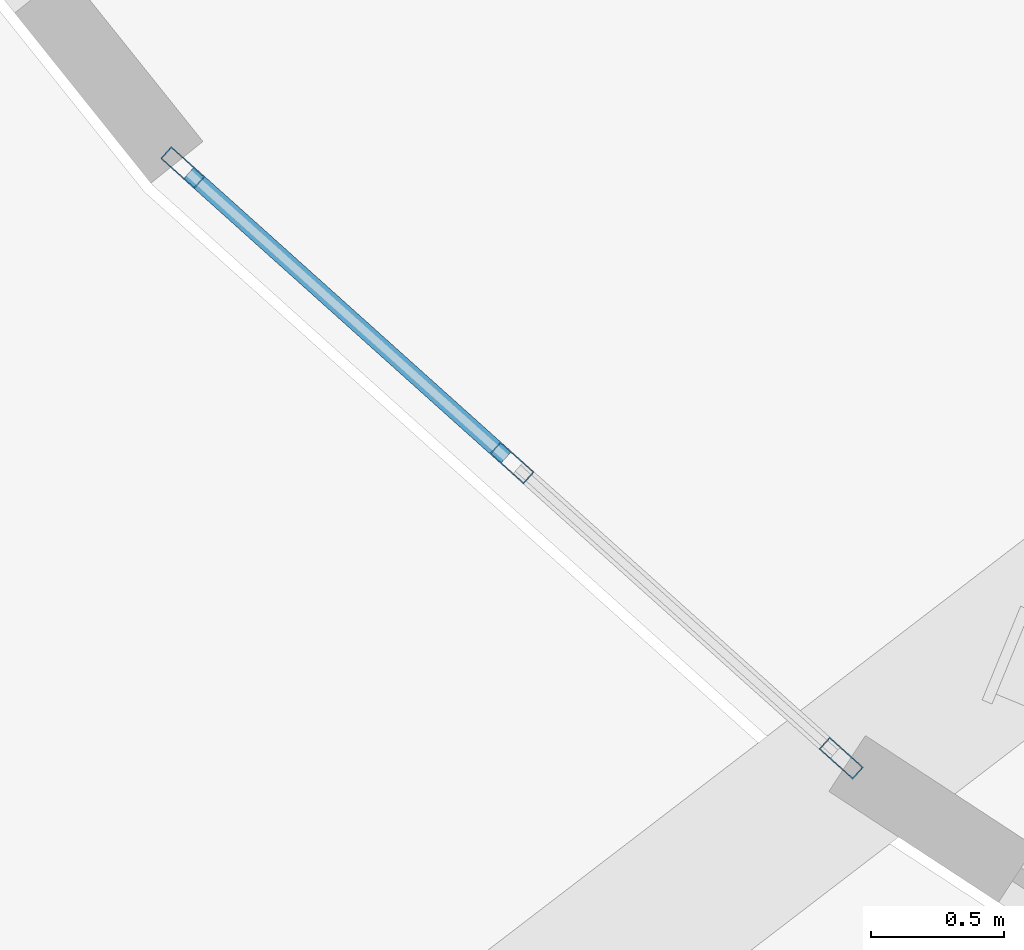
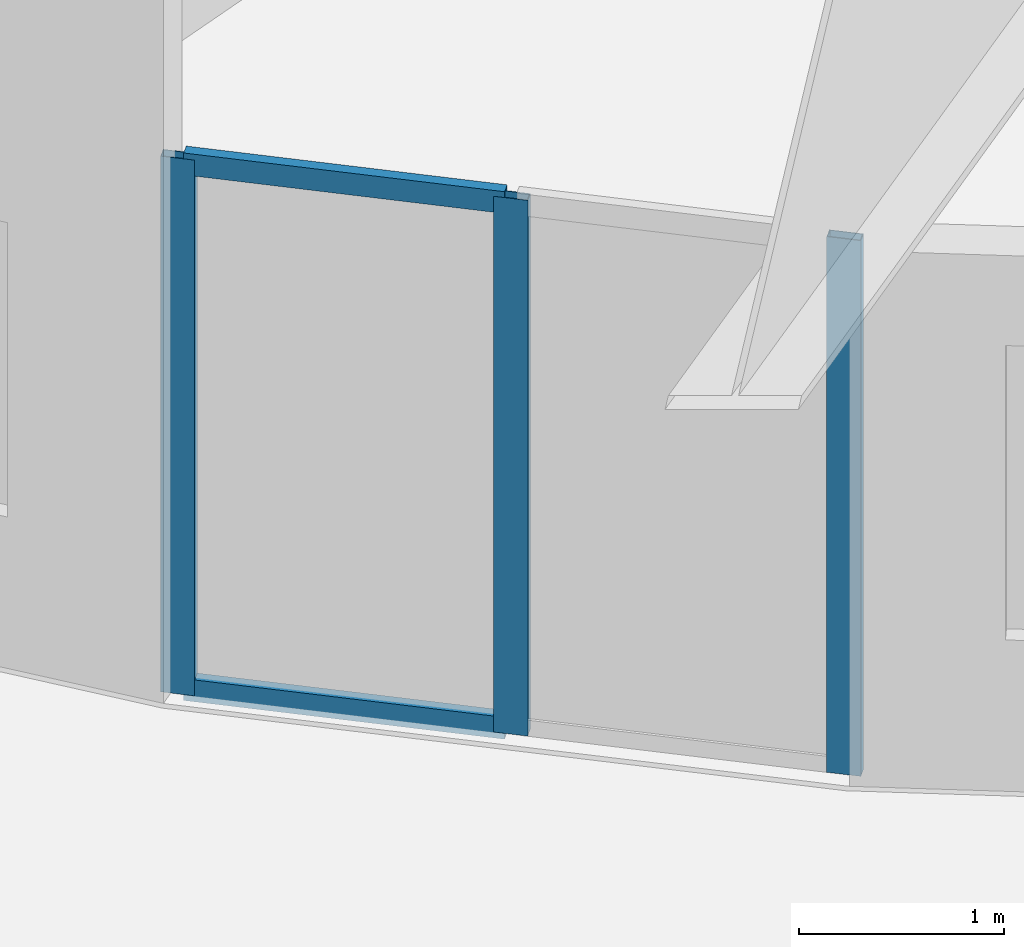
# One storey, part 4 of 39: 5 members, 1 element without a shape of its own.
"""IFC4 building model written with IfcOpenShell, lengths in metres."""

from ifc_helpers import new_model, si_unit, direction, frame, origin, origin_2d, place, context, subcontext, project, spatial, hollow_rectangle, extrude, source, transform, mapped, material, layer, layer_set, material_profile, profile_set, type_object, element, aggregate, save


model = new_model("IFC4")

# Units and contexts
model_context = context("Model", 3, precision=1e-05, world=origin(), true_north=direction((0.0, 1.0)))
body_context = subcontext(model_context, "Body", "Model", "MODEL_VIEW")
ifc_project = project(units=[si_unit("LENGTHUNIT", "METRE"), si_unit("AREAUNIT", "SQUARE_METRE"), si_unit("VOLUMEUNIT", "CUBIC_METRE"), si_unit("PLANEANGLEUNIT", "RADIAN"), si_unit("MASSUNIT", "GRAM", prefix="KILO")], contexts=[model_context])

# Site, building, storey
site_placement = place(None, origin())
site = spatial("IfcSite", under=ifc_project, at=site_placement, CompositionType="ELEMENT")
building_placement = place(site_placement, origin())
building = spatial("IfcBuilding", under=site, at=building_placement, Name="Linh Dai School and Residence Tower", CompositionType="ELEMENT")
storey_placement = place(building_placement, frame((0.0, 0.0, 27.0)))
storey = spatial("IfcBuildingStorey", under=building, at=storey_placement, Name="L06", CompositionType="ELEMENT", Elevation=27.0)

# Curtain wall, members
ifc_material_1 = material(Name="Aluminium Anodised Curtain Wall", Category="aluminium")
ifc_layer = layer(ifc_material_1, 0.169921875)
ifc_layer_set = layer_set([ifc_layer], Name="Aluminium Anodised Curtain Wall")
curtain_wall_type = type_object("IfcCurtainWallType", Name="CW-SYS-2", PredefinedType="USERDEFINED", material=ifc_layer_set)
curtain_wall_placement = place(storey_placement, origin())
curtain_wall = element("IfcCurtainWall", 1, at=curtain_wall_placement, inside=storey, type_object=curtain_wall_type, Name="L06 CW2 Curtain Wall 25", ObjectType="UNITISED CURTAIN WALL", PredefinedType="USERDEFINED")
ifc_material_2 = material(Name="Aluminium Alloy 6063-T6", Category="aluminium")
ifc_material_profile_1 = material_profile(ifc_material_2, hollow_rectangle(XDim=0.06005859375, YDim=0.169921875, WallThickness=0.00390625, at=origin_2d()), Name="RHS 170x60x4")
ifc_profile_set_1 = profile_set([ifc_material_profile_1], Name="Aluminium Alloy 6063-T6")
member_type_1 = type_object("IfcMemberType", Name="CW-SYS-2-MUL", PredefinedType="MULLION", material=ifc_profile_set_1)
shared_shape_1 = source(origin(), body_context, "Body", "SweptSolid", [
    extrude(hollow_rectangle(XDim=0.06005859375, YDim=0.169921875, WallThickness=0.00390625, at=origin_2d()), origin(), (0.0, 0.0, 1.0), 3.18505859375),
])
member_1_placement = place(storey_placement, frame((18.517333984375, 13.684326171875, 0.0), z_axis=(0.0, 0.0, 1.0), x_axis=(-0.667731152609, -0.744402517349, 0.0)))
member_1 = element("IfcMember", 2, at=member_1_placement, type_object=member_type_1, Name="CW2 mullion 1", PredefinedType="MULLION", context=body_context, shape_type="MappedRepresentation", body=[
    mapped(shared_shape_1, transform((0.0, 0.0, 0.0), x_axis=(1.0, 0.0, 0.0), y_axis=(0.0, 1.0, 0.0), z_axis=(0.0, 0.0, 1.0), scale=1.0)),
])
member_2_placement = place(storey_placement, frame((17.283447265625, 14.791259765625, 0.0), z_axis=(0.0, 0.0, 1.0), x_axis=(-0.667731152609, -0.744402517349, 0.0)))
member_2 = element("IfcMember", 3, at=member_2_placement, type_object=member_type_1, Name="CW2 mullion 2", PredefinedType="MULLION", context=body_context, shape_type="MappedRepresentation", body=[
    mapped(shared_shape_1, transform((0.0, 0.0, 0.0), x_axis=(1.0, 0.0, 0.0), y_axis=(0.0, 1.0, 0.0), z_axis=(0.0, 0.0, 1.0), scale=1.0)),
])
member_3_placement = place(storey_placement, frame((16.04931640625, 15.89794921875, 0.0), z_axis=(0.0, 0.0, 1.0), x_axis=(-0.667731152609, -0.744402517349, 0.0)))
member_3 = element("IfcMember", 4, at=member_3_placement, type_object=member_type_1, Name="CW2 mullion 3", PredefinedType="MULLION", context=body_context, shape_type="MappedRepresentation", body=[
    mapped(shared_shape_1, transform((0.0, 0.0, 0.0), x_axis=(1.0, 0.0, 0.0), y_axis=(0.0, 1.0, 0.0), z_axis=(0.0, 0.0, 1.0), scale=1.0)),
])
ifc_material_profile_2 = material_profile(ifc_material_2, hollow_rectangle(XDim=0.06005859375, YDim=0.1298828125, WallThickness=0.00390625, at=origin_2d()), Name="RHS 130x60x4")
ifc_profile_set_2 = profile_set([ifc_material_profile_2], Name="Aluminium Alloy 6063-T6")
member_type_2 = type_object("IfcMemberType", Name="CW-SYS-2-TRN", PredefinedType="USERDEFINED", material=ifc_profile_set_2)
shared_shape_2 = source(origin(), body_context, "Body", "SweptSolid", [
    extrude(hollow_rectangle(XDim=0.06005859375, YDim=0.1298828125, WallThickness=0.00390625, at=origin_2d()), origin(), (0.0, 0.0, 1.0), 1.597412109375),
])
member_4_placement = place(storey_placement, frame((17.260986328125, 14.811279296875, 0.030029296875), z_axis=(-0.744425359965, 0.667705686243, 0.0), x_axis=(-0.667705686243, -0.744425359965, 0.0)))
member_4 = element("IfcMember", 5, at=member_4_placement, type_object=member_type_2, Name="CW2 transom 2.1", ObjectType="TRANSOM", PredefinedType="USERDEFINED", context=body_context, shape_type="MappedRepresentation", body=[
    mapped(shared_shape_2, transform((0.0, 0.0, 0.0), x_axis=(1.0, 0.0, 0.0), y_axis=(0.0, 1.0, 0.0), z_axis=(0.0, 0.0, 1.0), scale=1.0)),
])
member_5_placement = place(storey_placement, frame((17.260986328125, 14.811279296875, 3.155029296875), z_axis=(-0.744425359965, 0.667705686243, 0.0), x_axis=(-0.667705686243, -0.744425359965, 0.0)))
member_5 = element("IfcMember", 6, at=member_5_placement, type_object=member_type_2, Name="CW2 transom 2.2", ObjectType="TRANSOM", PredefinedType="USERDEFINED", context=body_context, shape_type="MappedRepresentation", body=[
    mapped(shared_shape_2, transform((0.0, 0.0, 0.0), x_axis=(1.0, 0.0, 0.0), y_axis=(0.0, 1.0, 0.0), z_axis=(0.0, 0.0, 1.0), scale=1.0)),
])
aggregate(curtain_wall, [member_1, member_2, member_3, member_4, member_5])

save(model, "model.ifc")
